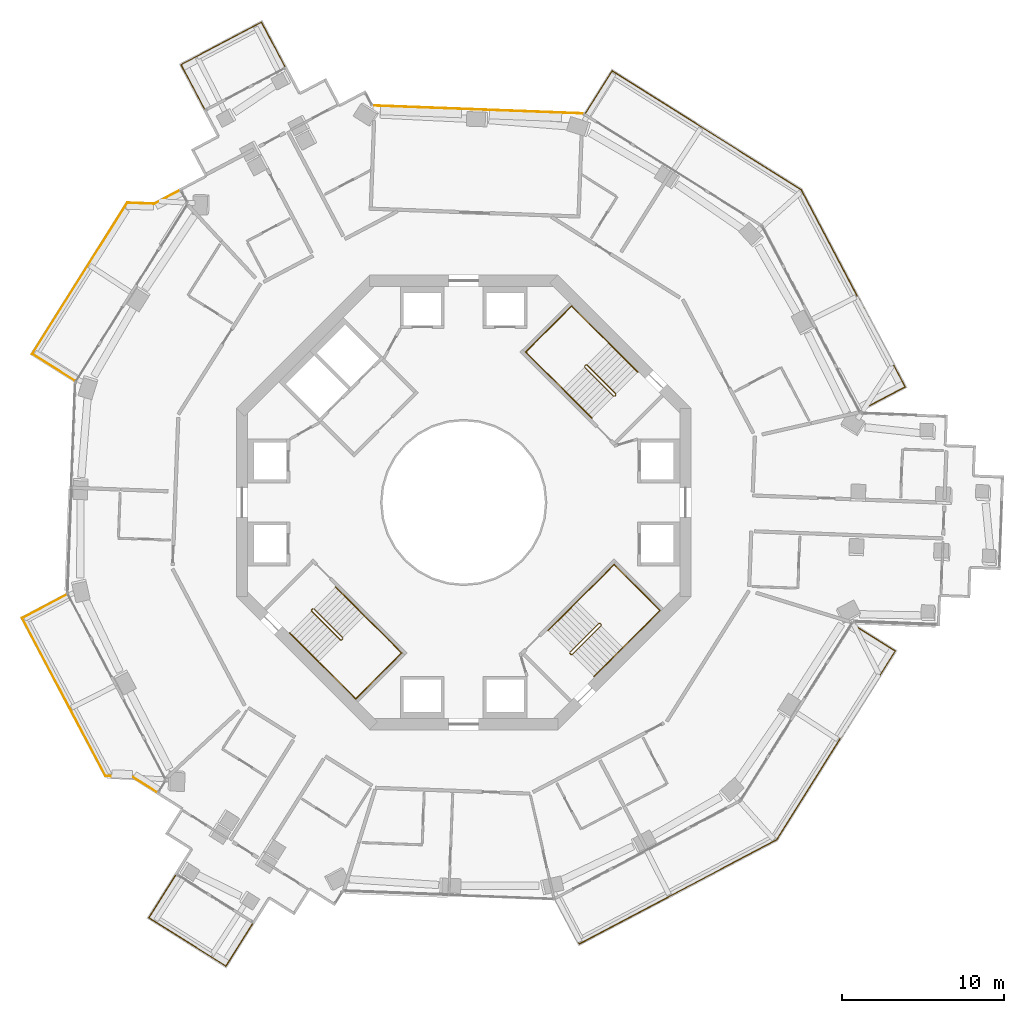
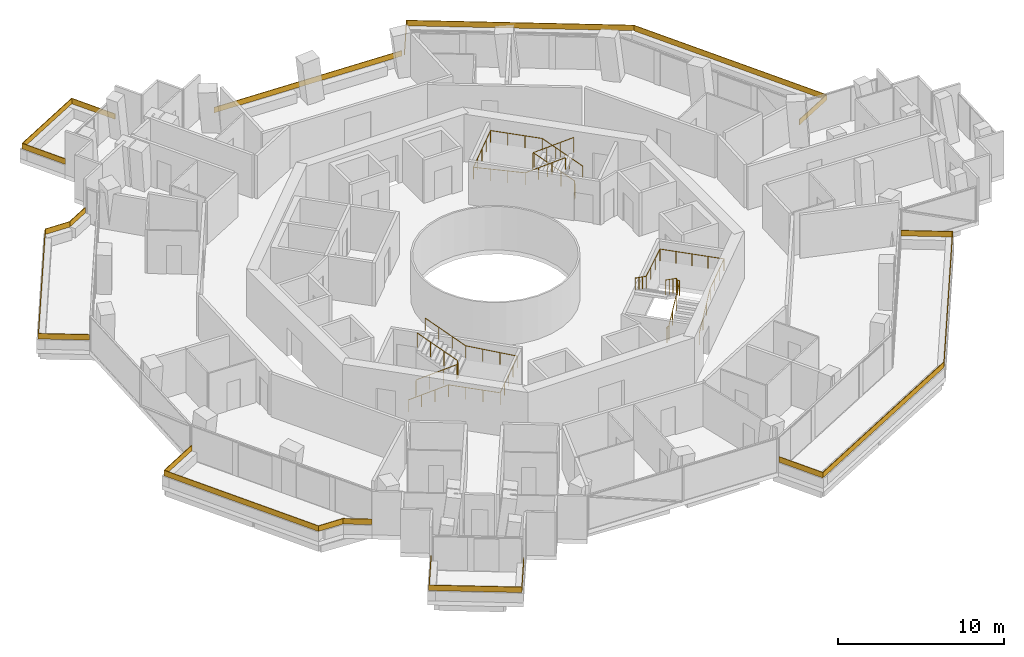
# One storey, part 23 of 23: 13 railings.
"""IFC4 building model written with IfcOpenShell, lengths in metres."""

from ifc_helpers import new_model, si_unit, direction, frame, origin, origin_2d, place, context, subcontext, project, spatial, polyline, rectangle, circle, outline, extrude, material, layer, layer_set, type_object, element, save


model = new_model("IFC4")

# Units and contexts
model_context = context("Model", 3, precision=1e-05, world=origin(), true_north=direction((0.0, 1.0)))
body_context = subcontext(model_context, "Body", "Model", "MODEL_VIEW")
ifc_project = project(units=[si_unit("LENGTHUNIT", "METRE"), si_unit("AREAUNIT", "SQUARE_METRE"), si_unit("VOLUMEUNIT", "CUBIC_METRE"), si_unit("PLANEANGLEUNIT", "RADIAN"), si_unit("MASSUNIT", "GRAM", prefix="KILO")], contexts=[model_context])

# Site, building, storey
site_placement = place(None, origin())
site = spatial("IfcSite", under=ifc_project, at=site_placement, CompositionType="ELEMENT")
building_placement = place(site_placement, origin())
building = spatial("IfcBuilding", under=site, at=building_placement, Name="Verdalira Terraces Hotel", CompositionType="ELEMENT")
storey_placement = place(building_placement, frame((0.0, 0.0, 147.0)))
storey = spatial("IfcBuildingStorey", under=building, at=storey_placement, Name="L35", CompositionType="ELEMENT", Elevation=147.0)

# Railings
ifc_material_1 = material(Name="Laminated glass", Category="glass")
ifc_layer = layer(ifc_material_1, 0.0400390625)
ifc_layer_set = layer_set([ifc_layer], Name="Balcony glass guard 400")
railing_type_1 = type_object("IfcRailingType", Name="Balcony glass guard 400", PredefinedType="GUARDRAIL", material=ifc_layer_set)
railing_1_placement = place(storey_placement, frame((0.0, 0.0, 0.699951)))
element("IfcRailing", 1, at=railing_1_placement, inside=storey, type_object=railing_type_1, Name="Balcony glass guard", PredefinedType="GUARDRAIL", context=body_context, shape_type="SweptSolid", body=[
    extrude(outline(polyline([(-12.457031, 29.539795), (-17.373535, 26.943359), (-15.935547, 24.220703), (-15.970947, 24.202148), (-17.42749, 26.959961), (-12.44043, 29.593994), (-10.983887, 26.835938), (-11.019287, 26.817383), (-12.457031, 29.539795)])), origin(), (0.0, 0.0, 1.0), 0.400146),
])
railing_2_placement = place(storey_placement, frame((0.0, 0.0, 0.699951)))
element("IfcRailing", 2, at=railing_2_placement, inside=storey, type_object=railing_type_1, Name="Balcony glass guard", PredefinedType="GUARDRAIL", context=body_context, shape_type="SweptSolid", body=[
    extrude(outline(polyline([(-19.047363, 18.369385), (-20.704102, 18.431885), (-26.539551, 9.150635), (-23.933105, 7.511719), (-23.954346, 7.478027), (-26.594727, 9.138184), (-20.725586, 18.472656), (-19.056641, 18.409668), (-17.506836, 19.228027), (-17.488281, 19.192627), (-19.047363, 18.369385)])), origin(), (0.0, 0.0, 1.0), 0.400146),
])
railing_3_placement = place(storey_placement, frame((0.0, 0.0, 0.699951)))
element("IfcRailing", 3, at=railing_3_placement, inside=storey, type_object=railing_type_1, Name="Balcony glass guard", PredefinedType="GUARDRAIL", context=body_context, shape_type="SweptSolid", body=[
    extrude(outline(polyline([(-27.153564, -7.125488), (-22.033691, -16.819824), (-20.376953, -16.882324), (-18.884277, -17.820801), (-18.905518, -17.854736), (-20.38916, -16.921875), (-22.05835, -16.858887), (-27.20752, -7.108887), (-24.449707, -5.652344), (-24.430908, -5.687744), (-27.153564, -7.125488)])), origin(), (0.0, 0.0, 1.0), 0.400146),
])
railing_4_placement = place(storey_placement, frame((0.0, 0.0, 0.699951)))
element("IfcRailing", 4, at=railing_4_placement, inside=storey, type_object=railing_type_1, Name="Balcony glass guard", PredefinedType="GUARDRAIL", context=body_context, shape_type="SweptSolid", body=[
    extrude(outline(polyline([(-19.35376, -25.558105), (-14.646973, -28.517578), (-13.008057, -25.911133), (-12.974121, -25.932373), (-14.634277, -28.572754), (-19.408936, -25.570801), (-17.748779, -22.930176), (-17.714844, -22.95166), (-19.35376, -25.558105)])), origin(), (0.0, 0.0, 1.0), 0.400146),
])
railing_5_placement = place(storey_placement, frame((0.0, 0.0, 0.699951)))
element("IfcRailing", 5, at=railing_5_placement, inside=storey, type_object=railing_type_1, Name="Balcony glass guard", PredefinedType="GUARDRAIL", context=body_context, shape_type="SweptSolid", body=[
    extrude(outline(polyline([(7.125488, -27.153564), (19.244629, -20.753174), (26.539551, -9.150635), (23.933105, -7.511719), (23.954346, -7.478027), (26.594727, -9.138184), (19.272705, -20.783447), (7.108887, -27.20752), (5.652344, -24.449707), (5.687744, -24.430908), (7.125488, -27.153564)])), origin(), (0.0, 0.0, 1.0), 0.400146),
])
railing_6_placement = place(storey_placement, frame((0.0, 0.0, 0.699951)))
element("IfcRailing", 6, at=railing_6_placement, inside=storey, type_object=railing_type_1, Name="Balcony glass guard", PredefinedType="GUARDRAIL", context=body_context, shape_type="SweptSolid", body=[
    extrude(outline(polyline([(27.153564, 7.125488), (20.753174, 19.244629), (9.150635, 26.539551), (7.511719, 23.933105), (7.478027, 23.954346), (9.138184, 26.594727), (20.783447, 19.272705), (27.20752, 7.108887), (24.449707, 5.652344), (24.430908, 5.687744), (27.153564, 7.125488)])), origin(), (0.0, 0.0, 1.0), 0.400146),
])
railing_7_placement = place(storey_placement, frame((0.912354, 24.191162, 0.699951), z_axis=(0.0, 0.0, 1.0), x_axis=(-0.999289473, 0.037690183, 0.0)))
element("IfcRailing", 7, at=railing_7_placement, inside=storey, type_object=railing_type_1, Name="Loggia glass guard", PredefinedType="GUARDRAIL", context=body_context, shape_type="SweptSolid", body=[
    extrude(rectangle(XDim=12.840088, YDim=0.040039, at=origin_2d()), origin(), (0.0, 0.0, 1.0), 0.399902),
])
ifc_material_2 = material(Name="Stainless steel", Category="steel")
railing_type_2 = type_object("IfcRailingType", Name="Stair guard 1100", PredefinedType="GUARDRAIL", material=ifc_material_2)
railing_8_placement = place(storey_placement, frame((9.369141, 6.611328, 0.0)))
element("IfcRailing", 8, at=railing_8_placement, inside=storey, type_object=railing_type_2, Name="L35 ST1 stair guard 1", PredefinedType="GUARDRAIL", context=body_context, shape_type="SweptSolid", body=[
    extrude(circle(Radius=0.023926, at=origin_2d()), frame((0.0, 0.0, 1.076172), z_axis=(-0.70832698, -0.705884473, 0.0), x_axis=(0.705884473, -0.70832698, 0.0)), (0.0, 0.0, 1.0), 0.099854),
    extrude(circle(Radius=0.023926, at=origin_2d()), frame((-0.070801, -0.070557, 1.076172), z_axis=(0.300162975, 0.599290904, 0.742127078), x_axis=(-0.894118129, 0.447831187, 0.0)), (0.0, 0.0, 1.0), 0.23584),
    extrude(circle(Radius=0.023926, at=origin_2d()), frame((0.0, 0.070801, 1.250977), z_axis=(-0.599637504, 0.599637504, 0.52997144), x_axis=(-0.707106781, -0.707106781, 0.0)), (0.0, 0.0, 1.0), 2.97168),
    extrude(circle(Radius=0.023926, at=origin_2d()), frame((-1.781982, 1.852783, 2.826172), z_axis=(-1.0, 0.0, 0.0), x_axis=(0.0, -1.0, 0.0)), (0.0, 0.0, 1.0), 0.070557),
    extrude(circle(Radius=0.023926, at=origin_2d()), frame((-1.852539, 1.852783, 2.826172), z_axis=(-0.707106781, -0.707106781, 0.0), x_axis=(0.707106781, -0.707106781, 0.0)), (0.0, 0.0, 1.0), 0.100098),
    extrude(circle(Radius=0.023926, at=origin_2d()), frame((-1.92334, 1.781982, 2.826172), z_axis=(0.0, -0.373842709, 0.927492118), x_axis=(1.0, 0.0, 0.0)), (0.0, 0.0, 1.0), 0.188721),
    extrude(circle(Radius=0.023926, at=origin_2d()), frame((-1.92334, 1.711426, 3.000977), z_axis=(0.599637504, -0.599637504, 0.52997144), x_axis=(0.707106781, 0.707106781, 0.0)), (0.0, 0.0, 1.0), 2.97168),
    extrude(circle(Radius=0.020996, at=origin_2d()), origin(), (0.0, 0.0, 1.0), 1.052002),
    extrude(circle(Radius=0.020996, at=origin_2d()), frame((-0.070801, -0.070557, 0.0)), (0.0, 0.0, 1.0), 1.052002),
    extrude(circle(Radius=0.020996, at=origin_2d()), frame((0.0, 0.070801, 0.175049)), (0.0, 0.0, 1.0), 1.052002),
    extrude(circle(Radius=0.020996, at=origin_2d()), frame((-0.593994, 0.664795, 0.699951)), (0.0, 0.0, 1.0), 1.052002),
    extrude(circle(Radius=0.020996, at=origin_2d()), frame((-1.187988, 1.258789, 1.225098)), (0.0, 0.0, 1.0), 1.052002),
    extrude(circle(Radius=0.020996, at=origin_2d()), frame((-1.781982, 1.852783, 1.75)), (0.0, 0.0, 1.0), 1.052002),
    extrude(circle(Radius=0.020996, at=origin_2d()), frame((-1.852539, 1.852783, 1.75)), (0.0, 0.0, 1.0), 1.052002),
    extrude(circle(Radius=0.020996, at=origin_2d()), frame((-1.92334, 1.781982, 1.75)), (0.0, 0.0, 1.0), 1.052002),
    extrude(circle(Radius=0.020996, at=origin_2d()), frame((-1.92334, 1.711426, 1.925049)), (0.0, 0.0, 1.0), 1.052002),
    extrude(circle(Radius=0.020996, at=origin_2d()), frame((-1.329346, 1.117432, 2.449951)), (0.0, 0.0, 1.0), 1.052002),
    extrude(circle(Radius=0.020996, at=origin_2d()), frame((-0.735352, 0.523438, 2.975098)), (0.0, 0.0, 1.0), 1.052002),
    extrude(circle(Radius=0.020996, at=origin_2d()), frame((-0.141357, -0.070557, 3.5)), (0.0, 0.0, 1.0), 1.052002),
])
railing_9_placement = place(storey_placement, frame((-9.369141, -6.611328, 0.0)))
element("IfcRailing", 9, at=railing_9_placement, inside=storey, type_object=railing_type_2, Name="L35 ST2 stair guard 1", PredefinedType="GUARDRAIL", context=body_context, shape_type="SweptSolid", body=[
    extrude(circle(Radius=0.023926, at=origin_2d()), frame((0.0, 0.0, 1.076172), z_axis=(0.70832698, 0.705884473, 0.0), x_axis=(-0.705884473, 0.70832698, 0.0)), (0.0, 0.0, 1.0), 0.099854),
    extrude(circle(Radius=0.023926, at=origin_2d()), frame((0.070801, 0.070557, 1.076172), z_axis=(-0.300162975, -0.599290904, 0.742127078), x_axis=(0.894118129, -0.447831187, 0.0)), (0.0, 0.0, 1.0), 0.23584),
    extrude(circle(Radius=0.023926, at=origin_2d()), frame((0.0, -0.070801, 1.250977), z_axis=(0.599637504, -0.599637504, 0.52997144), x_axis=(0.707106781, 0.707106781, 0.0)), (0.0, 0.0, 1.0), 2.97168),
    extrude(circle(Radius=0.023926, at=origin_2d()), frame((1.781982, -1.852783, 2.826172), z_axis=(1.0, 0.0, 0.0), x_axis=(0.0, 1.0, 0.0)), (0.0, 0.0, 1.0), 0.070557),
    extrude(circle(Radius=0.023926, at=origin_2d()), frame((1.852539, -1.852783, 2.826172), z_axis=(0.707106781, 0.707106781, 0.0), x_axis=(-0.707106781, 0.707106781, 0.0)), (0.0, 0.0, 1.0), 0.100098),
    extrude(circle(Radius=0.023926, at=origin_2d()), frame((1.92334, -1.781982, 2.826172), z_axis=(0.0, 0.373842709, 0.927492118), x_axis=(-1.0, 0.0, 0.0)), (0.0, 0.0, 1.0), 0.188721),
    extrude(circle(Radius=0.023926, at=origin_2d()), frame((1.92334, -1.711426, 3.000977), z_axis=(-0.599637504, 0.599637504, 0.52997144), x_axis=(-0.707106781, -0.707106781, 0.0)), (0.0, 0.0, 1.0), 2.97168),
    extrude(circle(Radius=0.020996, at=origin_2d()), origin(), (0.0, 0.0, 1.0), 1.052002),
    extrude(circle(Radius=0.020996, at=origin_2d()), frame((0.070801, 0.070557, 0.0)), (0.0, 0.0, 1.0), 1.052002),
    extrude(circle(Radius=0.020996, at=origin_2d()), frame((0.0, -0.070801, 0.175049)), (0.0, 0.0, 1.0), 1.052002),
    extrude(circle(Radius=0.020996, at=origin_2d()), frame((0.593994, -0.664795, 0.699951)), (0.0, 0.0, 1.0), 1.052002),
    extrude(circle(Radius=0.020996, at=origin_2d()), frame((1.187988, -1.258789, 1.225098)), (0.0, 0.0, 1.0), 1.052002),
    extrude(circle(Radius=0.020996, at=origin_2d()), frame((1.781982, -1.852783, 1.75)), (0.0, 0.0, 1.0), 1.052002),
    extrude(circle(Radius=0.020996, at=origin_2d()), frame((1.852539, -1.852783, 1.75)), (0.0, 0.0, 1.0), 1.052002),
    extrude(circle(Radius=0.020996, at=origin_2d()), frame((1.92334, -1.781982, 1.75)), (0.0, 0.0, 1.0), 1.052002),
    extrude(circle(Radius=0.020996, at=origin_2d()), frame((1.92334, -1.711426, 1.925049)), (0.0, 0.0, 1.0), 1.052002),
    extrude(circle(Radius=0.020996, at=origin_2d()), frame((1.329346, -1.117432, 2.449951)), (0.0, 0.0, 1.0), 1.052002),
    extrude(circle(Radius=0.020996, at=origin_2d()), frame((0.735352, -0.523438, 2.975098)), (0.0, 0.0, 1.0), 1.052002),
    extrude(circle(Radius=0.020996, at=origin_2d()), frame((0.141357, 0.070557, 3.5)), (0.0, 0.0, 1.0), 1.052002),
])
railing_10_placement = place(storey_placement, frame((6.611328, -9.369141, 0.0)))
element("IfcRailing", 10, at=railing_10_placement, inside=storey, type_object=railing_type_2, Name="L35 ST3 stair guard 1", PredefinedType="GUARDRAIL", context=body_context, shape_type="SweptSolid", body=[
    extrude(circle(Radius=0.023926, at=origin_2d()), frame((0.0, 0.0, 1.076172), z_axis=(-0.705884473, 0.70832698, 0.0), x_axis=(-0.70832698, -0.705884473, 0.0)), (0.0, 0.0, 1.0), 0.099854),
    extrude(circle(Radius=0.023926, at=origin_2d()), frame((-0.070557, 0.070801, 1.076172), z_axis=(0.599290904, -0.300162975, 0.742127078), x_axis=(0.447831187, 0.894118129, 0.0)), (0.0, 0.0, 1.0), 0.23584),
    extrude(circle(Radius=0.023926, at=origin_2d()), frame((0.070801, 0.0, 1.250977), z_axis=(0.599637504, 0.599637504, 0.52997144), x_axis=(-0.707106781, 0.707106781, 0.0)), (0.0, 0.0, 1.0), 2.97168),
    extrude(circle(Radius=0.023926, at=origin_2d()), frame((1.852783, 1.781982, 2.826172), z_axis=(0.0, 1.0, 0.0), x_axis=(-1.0, 0.0, 0.0)), (0.0, 0.0, 1.0), 0.070557),
    extrude(circle(Radius=0.023926, at=origin_2d()), frame((1.852783, 1.852539, 2.826172), z_axis=(-0.707106781, 0.707106781, 0.0), x_axis=(-0.707106781, -0.707106781, 0.0)), (0.0, 0.0, 1.0), 0.100098),
    extrude(circle(Radius=0.023926, at=origin_2d()), frame((1.781982, 1.92334, 2.826172), z_axis=(-0.373842709, 0.0, 0.927492118), x_axis=(0.0, -1.0, 0.0)), (0.0, 0.0, 1.0), 0.188721),
    extrude(circle(Radius=0.023926, at=origin_2d()), frame((1.711426, 1.92334, 3.000977), z_axis=(-0.599637504, -0.599637504, 0.52997144), x_axis=(0.707106781, -0.707106781, 0.0)), (0.0, 0.0, 1.0), 2.97168),
    extrude(circle(Radius=0.020996, at=origin_2d()), origin(), (0.0, 0.0, 1.0), 1.052002),
    extrude(circle(Radius=0.020996, at=origin_2d()), frame((-0.070557, 0.070801, 0.0)), (0.0, 0.0, 1.0), 1.052002),
    extrude(circle(Radius=0.020996, at=origin_2d()), frame((0.070801, 0.0, 0.175049)), (0.0, 0.0, 1.0), 1.052002),
    extrude(circle(Radius=0.020996, at=origin_2d()), frame((0.664795, 0.593994, 0.699951)), (0.0, 0.0, 1.0), 1.052002),
    extrude(circle(Radius=0.020996, at=origin_2d()), frame((1.258789, 1.187988, 1.225098)), (0.0, 0.0, 1.0), 1.052002),
    extrude(circle(Radius=0.020996, at=origin_2d()), frame((1.852783, 1.781982, 1.75)), (0.0, 0.0, 1.0), 1.052002),
    extrude(circle(Radius=0.020996, at=origin_2d()), frame((1.852783, 1.852539, 1.75)), (0.0, 0.0, 1.0), 1.052002),
    extrude(circle(Radius=0.020996, at=origin_2d()), frame((1.781982, 1.92334, 1.75)), (0.0, 0.0, 1.0), 1.052002),
    extrude(circle(Radius=0.020996, at=origin_2d()), frame((1.711426, 1.92334, 1.925049)), (0.0, 0.0, 1.0), 1.052002),
    extrude(circle(Radius=0.020996, at=origin_2d()), frame((1.117432, 1.329346, 2.449951)), (0.0, 0.0, 1.0), 1.052002),
    extrude(circle(Radius=0.020996, at=origin_2d()), frame((0.523438, 0.735352, 2.975098)), (0.0, 0.0, 1.0), 1.052002),
    extrude(circle(Radius=0.020996, at=origin_2d()), frame((-0.070557, 0.141357, 3.5)), (0.0, 0.0, 1.0), 1.052002),
])
ifc_material_3 = material(Name="Stainless steel", Category="steel")
railing_type_3 = type_object("IfcRailingType", Name="Stair handrail 900", PredefinedType="HANDRAIL", material=ifc_material_3)
railing_11_placement = place(storey_placement, frame((10.712646, 8.025635, 0.175049)))
element("IfcRailing", 11, at=railing_11_placement, inside=storey, type_object=railing_type_3, Name="L35 ST1 stair handrail 1", PredefinedType="HANDRAIL", context=body_context, shape_type="SweptSolid", body=[
    extrude(circle(Radius=0.023926, at=origin_2d()), frame((0.0, 0.0, 0.875977), z_axis=(-0.599637504, 0.599637504, 0.52997144), x_axis=(-0.707106781, -0.707106781, 0.0)), (0.0, 0.0, 1.0), 2.97168),
    extrude(circle(Radius=0.023926, at=origin_2d()), frame((-1.781982, 1.781982, 2.450684), z_axis=(-0.707106781, 0.707106781, 0.0), x_axis=(-0.707106781, -0.707106781, 0.0)), (0.0, 0.0, 1.0), 3.22998),
    extrude(circle(Radius=0.023926, at=origin_2d()), frame((-4.065918, 4.065918, 2.450684), z_axis=(-0.707106781, -0.707106781, 0.0), x_axis=(0.707106781, -0.707106781, 0.0)), (0.0, 0.0, 1.0), 4.0),
    extrude(circle(Radius=0.023926, at=origin_2d()), frame((-6.894287, 1.237549, 2.450684), z_axis=(0.706070637, -0.706070637, 0.054115729), x_axis=(0.707106781, 0.707106781, 0.0)), (0.0, 0.0, 1.0), 3.234619),
    extrude(circle(Radius=0.023926, at=origin_2d()), frame((-4.610352, -1.046387, 2.625977), z_axis=(0.599637504, -0.599637504, 0.52997144), x_axis=(0.707106781, 0.707106781, 0.0)), (0.0, 0.0, 1.0), 2.97168),
    extrude(circle(Radius=0.020996, at=origin_2d()), origin(), (0.0, 0.0, 1.0), 0.851807),
    extrude(circle(Radius=0.020996, at=origin_2d()), frame((-0.593994, 0.593994, 0.524902)), (0.0, 0.0, 1.0), 0.851807),
    extrude(circle(Radius=0.020996, at=origin_2d()), frame((-1.187988, 1.187988, 1.050049)), (0.0, 0.0, 1.0), 0.851807),
    extrude(circle(Radius=0.020996, at=origin_2d()), frame((-1.781982, 1.781982, 1.574951)), (0.0, 0.0, 1.0), 0.851807),
    extrude(circle(Radius=0.020996, at=origin_2d()), frame((-2.543213, 2.543213, 1.574951)), (0.0, 0.0, 1.0), 0.851807),
    extrude(circle(Radius=0.020996, at=origin_2d()), frame((-3.304688, 3.304688, 1.574951)), (0.0, 0.0, 1.0), 0.851807),
    extrude(circle(Radius=0.020996, at=origin_2d()), frame((-4.065918, 4.065918, 1.574951)), (0.0, 0.0, 1.0), 0.851807),
    extrude(circle(Radius=0.020996, at=origin_2d()), frame((-4.772949, 3.358887, 1.574951)), (0.0, 0.0, 1.0), 0.851807),
    extrude(circle(Radius=0.020996, at=origin_2d()), frame((-5.47998, 2.651855, 1.574951)), (0.0, 0.0, 1.0), 0.851807),
    extrude(circle(Radius=0.020996, at=origin_2d()), frame((-6.187256, 1.94458, 1.574951)), (0.0, 0.0, 1.0), 0.851807),
    extrude(circle(Radius=0.020996, at=origin_2d()), frame((-6.894287, 1.237549, 1.574951)), (0.0, 0.0, 1.0), 0.851807),
    extrude(circle(Radius=0.020996, at=origin_2d()), frame((-6.133057, 0.476318, 1.633301)), (0.0, 0.0, 1.0), 0.851807),
    extrude(circle(Radius=0.020996, at=origin_2d()), frame((-5.371582, -0.285156, 1.69165)), (0.0, 0.0, 1.0), 0.851807),
    extrude(circle(Radius=0.020996, at=origin_2d()), frame((-4.610352, -1.046387, 1.75)), (0.0, 0.0, 1.0), 0.851807),
    extrude(circle(Radius=0.020996, at=origin_2d()), frame((-4.016357, -1.640381, 2.274902)), (0.0, 0.0, 1.0), 0.851807),
    extrude(circle(Radius=0.020996, at=origin_2d()), frame((-3.422363, -2.234375, 2.800049)), (0.0, 0.0, 1.0), 0.851807),
    extrude(circle(Radius=0.020996, at=origin_2d()), frame((-2.828369, -2.828369, 3.324951)), (0.0, 0.0, 1.0), 0.851807),
])
railing_12_placement = place(storey_placement, frame((-10.712646, -8.025635, 0.175049)))
element("IfcRailing", 12, at=railing_12_placement, inside=storey, type_object=railing_type_3, Name="L35 ST2 stair handrail 1", PredefinedType="HANDRAIL", context=body_context, shape_type="SweptSolid", body=[
    extrude(circle(Radius=0.023926, at=origin_2d()), frame((0.0, 0.0, 0.875977), z_axis=(0.599637504, -0.599637504, 0.52997144), x_axis=(0.707106781, 0.707106781, 0.0)), (0.0, 0.0, 1.0), 2.97168),
    extrude(circle(Radius=0.023926, at=origin_2d()), frame((1.781982, -1.781982, 2.450684), z_axis=(0.707106781, -0.707106781, 0.0), x_axis=(0.707106781, 0.707106781, 0.0)), (0.0, 0.0, 1.0), 3.22998),
    extrude(circle(Radius=0.023926, at=origin_2d()), frame((4.065918, -4.065918, 2.450684), z_axis=(0.707106781, 0.707106781, 0.0), x_axis=(-0.707106781, 0.707106781, 0.0)), (0.0, 0.0, 1.0), 4.0),
    extrude(circle(Radius=0.023926, at=origin_2d()), frame((6.894287, -1.237549, 2.450684), z_axis=(-0.706070637, 0.706070637, 0.054115729), x_axis=(-0.707106781, -0.707106781, 0.0)), (0.0, 0.0, 1.0), 3.234619),
    extrude(circle(Radius=0.023926, at=origin_2d()), frame((4.610352, 1.046387, 2.625977), z_axis=(-0.599637504, 0.599637504, 0.52997144), x_axis=(-0.707106781, -0.707106781, 0.0)), (0.0, 0.0, 1.0), 2.97168),
    extrude(circle(Radius=0.020996, at=origin_2d()), origin(), (0.0, 0.0, 1.0), 0.851807),
    extrude(circle(Radius=0.020996, at=origin_2d()), frame((0.593994, -0.593994, 0.524902)), (0.0, 0.0, 1.0), 0.851807),
    extrude(circle(Radius=0.020996, at=origin_2d()), frame((1.187988, -1.187988, 1.050049)), (0.0, 0.0, 1.0), 0.851807),
    extrude(circle(Radius=0.020996, at=origin_2d()), frame((1.781982, -1.781982, 1.574951)), (0.0, 0.0, 1.0), 0.851807),
    extrude(circle(Radius=0.020996, at=origin_2d()), frame((2.543213, -2.543213, 1.574951)), (0.0, 0.0, 1.0), 0.851807),
    extrude(circle(Radius=0.020996, at=origin_2d()), frame((3.304688, -3.304688, 1.574951)), (0.0, 0.0, 1.0), 0.851807),
    extrude(circle(Radius=0.020996, at=origin_2d()), frame((4.065918, -4.065918, 1.574951)), (0.0, 0.0, 1.0), 0.851807),
    extrude(circle(Radius=0.020996, at=origin_2d()), frame((4.772949, -3.358887, 1.574951)), (0.0, 0.0, 1.0), 0.851807),
    extrude(circle(Radius=0.020996, at=origin_2d()), frame((5.47998, -2.651855, 1.574951)), (0.0, 0.0, 1.0), 0.851807),
    extrude(circle(Radius=0.020996, at=origin_2d()), frame((6.187256, -1.94458, 1.574951)), (0.0, 0.0, 1.0), 0.851807),
    extrude(circle(Radius=0.020996, at=origin_2d()), frame((6.894287, -1.237549, 1.574951)), (0.0, 0.0, 1.0), 0.851807),
    extrude(circle(Radius=0.020996, at=origin_2d()), frame((6.133057, -0.476318, 1.633301)), (0.0, 0.0, 1.0), 0.851807),
    extrude(circle(Radius=0.020996, at=origin_2d()), frame((5.371582, 0.285156, 1.69165)), (0.0, 0.0, 1.0), 0.851807),
    extrude(circle(Radius=0.020996, at=origin_2d()), frame((4.610352, 1.046387, 1.75)), (0.0, 0.0, 1.0), 0.851807),
    extrude(circle(Radius=0.020996, at=origin_2d()), frame((4.016357, 1.640381, 2.274902)), (0.0, 0.0, 1.0), 0.851807),
    extrude(circle(Radius=0.020996, at=origin_2d()), frame((3.422363, 2.234375, 2.800049)), (0.0, 0.0, 1.0), 0.851807),
    extrude(circle(Radius=0.020996, at=origin_2d()), frame((2.828369, 2.828369, 3.324951)), (0.0, 0.0, 1.0), 0.851807),
])
railing_13_placement = place(storey_placement, frame((8.025635, -10.712646, 0.175049)))
element("IfcRailing", 13, at=railing_13_placement, inside=storey, type_object=railing_type_3, Name="L35 ST3 stair handrail 1", PredefinedType="HANDRAIL", context=body_context, shape_type="SweptSolid", body=[
    extrude(circle(Radius=0.023926, at=origin_2d()), frame((0.0, 0.0, 0.875977), z_axis=(0.599637504, 0.599637504, 0.52997144), x_axis=(-0.707106781, 0.707106781, 0.0)), (0.0, 0.0, 1.0), 2.97168),
    extrude(circle(Radius=0.023926, at=origin_2d()), frame((1.781982, 1.781982, 2.450684), z_axis=(0.707106781, 0.707106781, 0.0), x_axis=(-0.707106781, 0.707106781, 0.0)), (0.0, 0.0, 1.0), 3.22998),
    extrude(circle(Radius=0.023926, at=origin_2d()), frame((4.065918, 4.065918, 2.450684), z_axis=(-0.707106781, 0.707106781, 0.0), x_axis=(-0.707106781, -0.707106781, 0.0)), (0.0, 0.0, 1.0), 4.0),
    extrude(circle(Radius=0.023926, at=origin_2d()), frame((1.237549, 6.894287, 2.450684), z_axis=(-0.706070637, -0.706070637, 0.054115729), x_axis=(0.707106781, -0.707106781, 0.0)), (0.0, 0.0, 1.0), 3.234619),
    extrude(circle(Radius=0.023926, at=origin_2d()), frame((-1.046387, 4.610352, 2.625977), z_axis=(-0.599637504, -0.599637504, 0.52997144), x_axis=(0.707106781, -0.707106781, 0.0)), (0.0, 0.0, 1.0), 2.97168),
    extrude(circle(Radius=0.020996, at=origin_2d()), origin(), (0.0, 0.0, 1.0), 0.851807),
    extrude(circle(Radius=0.020996, at=origin_2d()), frame((0.593994, 0.593994, 0.524902)), (0.0, 0.0, 1.0), 0.851807),
    extrude(circle(Radius=0.020996, at=origin_2d()), frame((1.187988, 1.187988, 1.050049)), (0.0, 0.0, 1.0), 0.851807),
    extrude(circle(Radius=0.020996, at=origin_2d()), frame((1.781982, 1.781982, 1.574951)), (0.0, 0.0, 1.0), 0.851807),
    extrude(circle(Radius=0.020996, at=origin_2d()), frame((2.543213, 2.543213, 1.574951)), (0.0, 0.0, 1.0), 0.851807),
    extrude(circle(Radius=0.020996, at=origin_2d()), frame((3.304688, 3.304688, 1.574951)), (0.0, 0.0, 1.0), 0.851807),
    extrude(circle(Radius=0.020996, at=origin_2d()), frame((4.065918, 4.065918, 1.574951)), (0.0, 0.0, 1.0), 0.851807),
    extrude(circle(Radius=0.020996, at=origin_2d()), frame((3.358887, 4.772949, 1.574951)), (0.0, 0.0, 1.0), 0.851807),
    extrude(circle(Radius=0.020996, at=origin_2d()), frame((2.651855, 5.47998, 1.574951)), (0.0, 0.0, 1.0), 0.851807),
    extrude(circle(Radius=0.020996, at=origin_2d()), frame((1.94458, 6.187256, 1.574951)), (0.0, 0.0, 1.0), 0.851807),
    extrude(circle(Radius=0.020996, at=origin_2d()), frame((1.237549, 6.894287, 1.574951)), (0.0, 0.0, 1.0), 0.851807),
    extrude(circle(Radius=0.020996, at=origin_2d()), frame((0.476318, 6.133057, 1.633301)), (0.0, 0.0, 1.0), 0.851807),
    extrude(circle(Radius=0.020996, at=origin_2d()), frame((-0.285156, 5.371582, 1.69165)), (0.0, 0.0, 1.0), 0.851807),
    extrude(circle(Radius=0.020996, at=origin_2d()), frame((-1.046387, 4.610352, 1.75)), (0.0, 0.0, 1.0), 0.851807),
    extrude(circle(Radius=0.020996, at=origin_2d()), frame((-1.640381, 4.016357, 2.274902)), (0.0, 0.0, 1.0), 0.851807),
    extrude(circle(Radius=0.020996, at=origin_2d()), frame((-2.234375, 3.422363, 2.800049)), (0.0, 0.0, 1.0), 0.851807),
    extrude(circle(Radius=0.020996, at=origin_2d()), frame((-2.828369, 2.828369, 3.324951)), (0.0, 0.0, 1.0), 0.851807),
])

save(model, "model.ifc")
